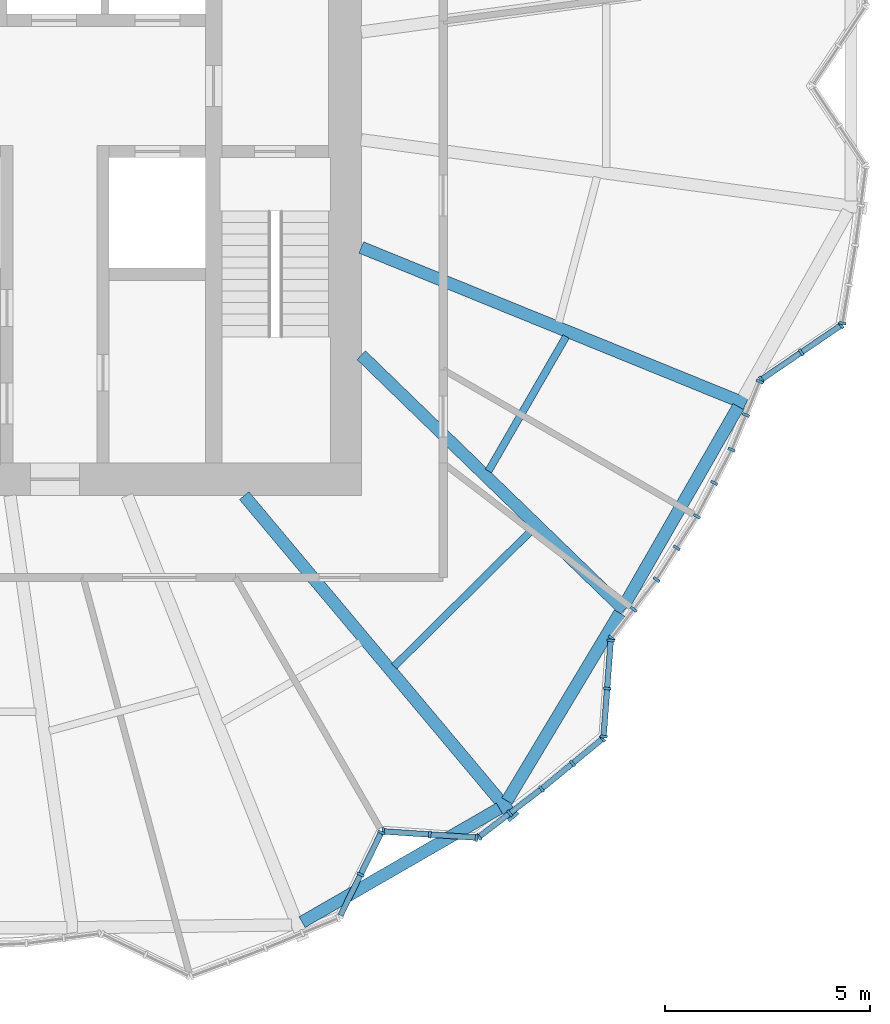
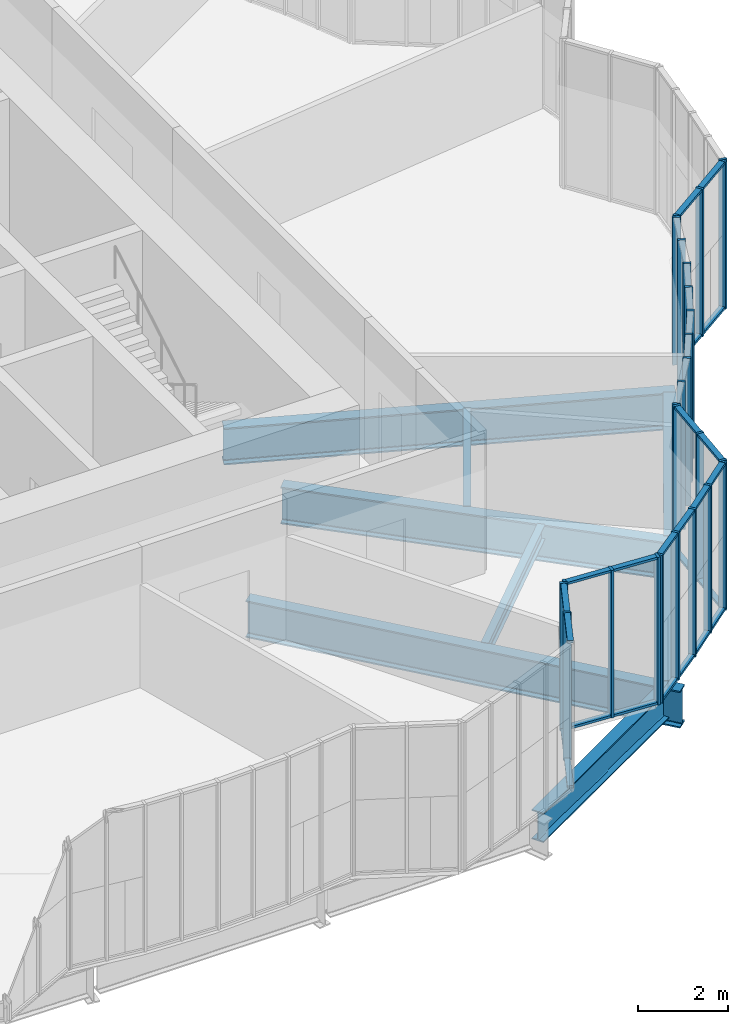
# One storey, part 4 of 22: 50 members, 8 beams, 11 elements without a shape of their own.
"""IFC4 building model written with IfcOpenShell, lengths in metres."""

from ifc_helpers import new_model, si_unit, direction, frame, origin, origin_2d, place, context, subcontext, project, spatial, rectangle, i_section, extrude, material, material_profile, profile_set, type_object, element, aggregate, save


model = new_model("IFC4")

# Units and contexts
model_context = context("Model", 3, precision=1e-05, world=origin(), true_north=direction((0.0, 1.0)))
body_context = subcontext(model_context, "Body", "Model", "MODEL_VIEW")
ifc_project = project(units=[si_unit("LENGTHUNIT", "METRE"), si_unit("AREAUNIT", "SQUARE_METRE"), si_unit("VOLUMEUNIT", "CUBIC_METRE"), si_unit("PLANEANGLEUNIT", "RADIAN"), si_unit("MASSUNIT", "GRAM", prefix="KILO")], contexts=[model_context])

# Site, building, storey
site_placement = place(None, origin())
site = spatial("IfcSite", under=ifc_project, at=site_placement, CompositionType="ELEMENT")
building_placement = place(site_placement, origin())
building = spatial("IfcBuilding", under=site, at=building_placement, Name="Golbaran Civic Tower", CompositionType="ELEMENT")
storey_placement = place(building_placement, frame((0.0, 0.0, 29.0)))
storey = spatial("IfcBuildingStorey", under=building, at=storey_placement, Name="L06", CompositionType="ELEMENT", Elevation=29.0)

# Beams
ifc_material_1 = material(Name="Steel S355", Category="steel")
ifc_material_profile_1 = material_profile(ifc_material_1, i_section(OverallWidth=0.300048828125, OverallDepth=0.800048828125, WebThickness=0.017578125, FlangeThickness=0.032958984375, FilletRadius=0.030029296875, at=origin_2d()), Name="HEB 800")
ifc_profile_set_1 = profile_set([ifc_material_profile_1], Name="Steel S355")
beam_type_1 = type_object("IfcBeamType", Name="EDGE BEAM HEB 800", PredefinedType="BEAM", material=ifc_profile_set_1)
beam_1_placement = place(storey_placement, frame((8.5556640625, -20.40771484375, -0.60009765625), z_axis=(0.866363940205, 0.499413178753, 0.0), x_axis=(-0.499413178753, 0.866363940205, 0.0)))
element("IfcBeam", 1, at=beam_1_placement, inside=storey, type_object=beam_type_1, Name="Edge beam 292.37 L06", PredefinedType="BEAM", context=body_context, shape_type="SweptSolid", body=[
    extrude(i_section(OverallWidth=0.300048828125, OverallDepth=0.800048828125, WebThickness=0.017578125, FlangeThickness=0.032958984375, FilletRadius=0.030029296875, at=origin_2d()), origin(), (0.0, 0.0, 1.0), 5.558837890625),
])
beam_2_placement = place(storey_placement, frame((13.556884765625, -17.447509765625, -0.60009765625), z_axis=(0.514509191059, 0.85748486419, 0.0), x_axis=(-0.85748486419, 0.514509191059, 0.0)))
element("IfcBeam", 2, at=beam_2_placement, inside=storey, type_object=beam_type_1, Name="Edge beam 307.63 L06", PredefinedType="BEAM", context=body_context, shape_type="SweptSolid", body=[
    extrude(i_section(OverallWidth=0.300048828125, OverallDepth=0.800048828125, WebThickness=0.017578125, FlangeThickness=0.032958984375, FilletRadius=0.030029296875, at=origin_2d()), origin(), (0.0, 0.0, 1.0), 5.344482421875),
])
beam_3_placement = place(storey_placement, frame((16.442138671875, -12.634033203125, -0.60009765625), z_axis=(0.497888378449, 0.867241121376, 0.0), x_axis=(-0.867241121376, 0.497888378449, 0.0)))
element("IfcBeam", 3, at=beam_3_placement, inside=storey, type_object=beam_type_1, Name="Edge beam 321.83 L06", PredefinedType="BEAM", context=body_context, shape_type="SweptSolid", body=[
    extrude(i_section(OverallWidth=0.300048828125, OverallDepth=0.800048828125, WebThickness=0.017578125, FlangeThickness=0.032958984375, FilletRadius=0.030029296875, at=origin_2d()), origin(), (0.0, 0.0, 1.0), 5.54248046875),
])
ifc_material_profile_2 = material_profile(ifc_material_1, i_section(OverallWidth=0.179931640625, OverallDepth=0.39990234375, WebThickness=0.008544921875, FlangeThickness=0.013427734375, FilletRadius=0.02099609375, at=origin_2d()), Name="IPE 400")
ifc_profile_set_2 = profile_set([ifc_material_profile_2], Name="Steel S355")
beam_type_2 = type_object("IfcBeamType", Name="FLOOR INFILL BEAM IPE 400", PredefinedType="BEAM", material=ifc_profile_set_2)
beam_4_placement = place(storey_placement, frame((10.805419921875, -14.166015625, -0.39990234375), z_axis=(0.710429956517, 0.703767914077, 0.0), x_axis=(-0.703767914077, 0.710429956517, 0.0)))
element("IfcBeam", 4, at=beam_4_placement, inside=storey, type_object=beam_type_2, Name="Infill beam 314.73 L06", PredefinedType="BEAM", context=body_context, shape_type="SweptSolid", body=[
    extrude(i_section(OverallWidth=0.179931640625, OverallDepth=0.39990234375, WebThickness=0.008544921875, FlangeThickness=0.013427734375, FilletRadius=0.02099609375, at=origin_2d()), origin(), (0.0, 0.0, 1.0), 4.76416015625),
])
beam_5_placement = place(storey_placement, frame((13.1044921875, -9.399169921875, -0.39990234375), z_axis=(0.499964129797, 0.866046112465, 0.0), x_axis=(-0.866046112465, 0.499964129797, 0.0)))
element("IfcBeam", 5, at=beam_5_placement, inside=storey, type_object=beam_type_2, Name="Infill beam 330.00 L06", PredefinedType="BEAM", context=body_context, shape_type="SweptSolid", body=[
    extrude(i_section(OverallWidth=0.179931640625, OverallDepth=0.39990234375, WebThickness=0.008544921875, FlangeThickness=0.013427734375, FilletRadius=0.02099609375, at=origin_2d()), origin(), (0.0, 0.0, 1.0), 3.789306640625),
])

# Curtain wall, members
ifc_material_2 = material(Name="Aluminium and glass", Category="aluminium")
curtain_wall_type = type_object("IfcCurtainWallType", Name="INNER SKIN CURTAIN WALL", PredefinedType="NOTDEFINED", material=ifc_material_2)
curtain_wall_1_placement = place(storey_placement, origin())
curtain_wall_1 = element("IfcCurtainWall", 6, at=curtain_wall_1_placement, inside=storey, type_object=curtain_wall_type, Name="Inner skin L06 facet 60 CW1", ObjectType="INNER SKIN", PredefinedType="USERDEFINED")
ifc_material_3 = material(Name="Aluminium", Category="aluminium")
ifc_material_profile_3 = material_profile(ifc_material_3, rectangle(XDim=0.179931640625, YDim=0.06494140625, at=origin_2d()), Name="INNER SKIN CURTAIN WALL MULLION")
ifc_profile_set_3 = profile_set([ifc_material_profile_3], Name="Aluminium")
member_type_1 = type_object("IfcMemberType", Name="INNER SKIN CURTAIN WALL MULLION", PredefinedType="MULLION", material=ifc_profile_set_3)
member_1_placement = place(storey_placement, frame((9.984130859375, -19.2451171875, 0.0), z_axis=(0.0, 0.0, 1.0), x_axis=(-0.897405438418, 0.441206843893, 0.0)))
member_1 = element("IfcMember", 7, at=member_1_placement, type_object=member_type_1, Name="CW1 mullion 2", PredefinedType="MULLION", context=body_context, shape_type="SweptSolid", body=[
    extrude(rectangle(XDim=0.179931640625, YDim=0.06494140625, at=origin_2d()), origin(), (0.0, 0.0, 1.0), 4.0),
])
member_2_placement = place(storey_placement, frame((10.48828125, -18.219970703125, 0.0), z_axis=(0.0, 0.0, 1.0), x_axis=(-0.897405438418, 0.441206843893, 0.0)))
member_2 = element("IfcMember", 8, at=member_2_placement, type_object=member_type_1, Name="CW1 mullion 3", PredefinedType="MULLION", context=body_context, shape_type="SweptSolid", body=[
    extrude(rectangle(XDim=0.179931640625, YDim=0.06494140625, at=origin_2d()), origin(), (0.0, 0.0, 1.0), 4.0),
])

curtain_wall_2_placement = place(storey_placement, origin())
curtain_wall_2 = element("IfcCurtainWall", 9, at=curtain_wall_2_placement, inside=storey, type_object=curtain_wall_type, Name="Inner skin L06 facet 61 CW1", ObjectType="INNER SKIN", PredefinedType="USERDEFINED")
member_3_placement = place(storey_placement, frame((10.534912109375, -18.193115234375, 0.0), z_axis=(0.0, 0.0, 1.0), x_axis=(0.066606384387, 0.99777932909, 0.0)))
member_3 = element("IfcMember", 10, at=member_3_placement, type_object=member_type_1, Name="CW1 mullion 1", PredefinedType="MULLION", context=body_context, shape_type="SweptSolid", body=[
    extrude(rectangle(XDim=0.179931640625, YDim=0.06494140625, at=origin_2d()), origin(), (0.0, 0.0, 1.0), 4.0),
])
member_4_placement = place(storey_placement, frame((11.6748046875, -18.26904296875, 0.0), z_axis=(0.0, 0.0, 1.0), x_axis=(0.066606384387, 0.99777932909, 0.0)))
member_4 = element("IfcMember", 11, at=member_4_placement, type_object=member_type_1, Name="CW1 mullion 2", PredefinedType="MULLION", context=body_context, shape_type="SweptSolid", body=[
    extrude(rectangle(XDim=0.179931640625, YDim=0.06494140625, at=origin_2d()), origin(), (0.0, 0.0, 1.0), 4.0),
])
member_5_placement = place(storey_placement, frame((12.814453125, -18.34521484375, 0.0), z_axis=(0.0, 0.0, 1.0), x_axis=(0.066606384387, 0.99777932909, 0.0)))
member_5 = element("IfcMember", 12, at=member_5_placement, type_object=member_type_1, Name="CW1 mullion 3", PredefinedType="MULLION", context=body_context, shape_type="SweptSolid", body=[
    extrude(rectangle(XDim=0.179931640625, YDim=0.06494140625, at=origin_2d()), origin(), (0.0, 0.0, 1.0), 4.0),
])

curtain_wall_3_placement = place(storey_placement, origin())
curtain_wall_3 = element("IfcCurtainWall", 13, at=curtain_wall_3_placement, inside=storey, type_object=curtain_wall_type, Name="Inner skin L06 facet 62 CW1", ObjectType="INNER SKIN", PredefinedType="USERDEFINED")
member_6_placement = place(storey_placement, frame((12.872802734375, -18.32763671875, 0.0), z_axis=(0.0, 0.0, 1.0), x_axis=(-0.608761428856, 0.793353340408, 0.0)))
member_6 = element("IfcMember", 14, at=member_6_placement, type_object=member_type_1, Name="CW1 mullion 1", PredefinedType="MULLION", context=body_context, shape_type="SweptSolid", body=[
    extrude(rectangle(XDim=0.179931640625, YDim=0.06494140625, at=origin_2d()), origin(), (0.0, 0.0, 1.0), 4.0),
])
member_7_placement = place(storey_placement, frame((13.6220703125, -17.752685546875, 0.0), z_axis=(0.0, 0.0, 1.0), x_axis=(-0.608761428856, 0.793353340408, 0.0)))
member_7 = element("IfcMember", 15, at=member_7_placement, type_object=member_type_1, Name="CW1 mullion 2", PredefinedType="MULLION", context=body_context, shape_type="SweptSolid", body=[
    extrude(rectangle(XDim=0.179931640625, YDim=0.06494140625, at=origin_2d()), origin(), (0.0, 0.0, 1.0), 4.0),
])
member_8_placement = place(storey_placement, frame((14.397216796875, -17.157958984375, 0.0), z_axis=(0.0, 0.0, 1.0), x_axis=(-0.622263592648, 0.782807780534, 0.0)))
member_8 = element("IfcMember", 16, at=member_8_placement, type_object=member_type_1, Name="CW1 mullion 3", PredefinedType="MULLION", context=body_context, shape_type="SweptSolid", body=[
    extrude(rectangle(XDim=0.179931640625, YDim=0.06494140625, at=origin_2d()), origin(), (0.0, 0.0, 1.0), 4.0),
])

curtain_wall_4_placement = place(storey_placement, origin())
curtain_wall_4 = element("IfcCurtainWall", 17, at=curtain_wall_4_placement, inside=storey, type_object=curtain_wall_type, Name="Inner skin L06 facet 63 CW1", ObjectType="INNER SKIN", PredefinedType="USERDEFINED")
member_9_placement = place(storey_placement, frame((15.154296875, -16.53466796875, 0.0), z_axis=(0.0, 0.0, 1.0), x_axis=(-0.63558311147, 0.772032452954, 0.0)))
member_9 = element("IfcMember", 18, at=member_9_placement, type_object=member_type_1, Name="CW1 mullion 2", PredefinedType="MULLION", context=body_context, shape_type="SweptSolid", body=[
    extrude(rectangle(XDim=0.179931640625, YDim=0.06494140625, at=origin_2d()), origin(), (0.0, 0.0, 1.0), 4.0),
])
member_10_placement = place(storey_placement, frame((15.88623046875, -15.931884765625, 0.0), z_axis=(0.0, 0.0, 1.0), x_axis=(-0.63558311147, 0.772032452954, 0.0)))
member_10 = element("IfcMember", 19, at=member_10_placement, type_object=member_type_1, Name="CW1 mullion 3", PredefinedType="MULLION", context=body_context, shape_type="SweptSolid", body=[
    extrude(rectangle(XDim=0.179931640625, YDim=0.06494140625, at=origin_2d()), origin(), (0.0, 0.0, 1.0), 4.0),
])

curtain_wall_5_placement = place(storey_placement, origin())
curtain_wall_5 = element("IfcCurtainWall", 20, at=curtain_wall_5_placement, inside=storey, type_object=curtain_wall_type, Name="Inner skin L06 facet 64 CW1", ObjectType="INNER SKIN", PredefinedType="USERDEFINED")
member_11_placement = place(storey_placement, frame((15.913818359375, -15.87890625, 0.0), z_axis=(0.0, 0.0, 1.0), x_axis=(-0.997238388272, 0.074267065092, 0.0)))
member_11 = element("IfcMember", 21, at=member_11_placement, type_object=member_type_1, Name="CW1 mullion 1", PredefinedType="MULLION", context=body_context, shape_type="SweptSolid", body=[
    extrude(rectangle(XDim=0.179931640625, YDim=0.06494140625, at=origin_2d()), origin(), (0.0, 0.0, 1.0), 4.0),
])
member_12_placement = place(storey_placement, frame((16.0009765625, -14.70654296875, 0.0), z_axis=(0.0, 0.0, 1.0), x_axis=(-0.997238388272, 0.074267065092, 0.0)))
member_12 = element("IfcMember", 22, at=member_12_placement, type_object=member_type_1, Name="CW1 mullion 2", PredefinedType="MULLION", context=body_context, shape_type="SweptSolid", body=[
    extrude(rectangle(XDim=0.179931640625, YDim=0.06494140625, at=origin_2d()), origin(), (0.0, 0.0, 1.0), 4.0),
])
member_13_placement = place(storey_placement, frame((16.08837890625, -13.5341796875, 0.0), z_axis=(0.0, 0.0, 1.0), x_axis=(-0.997238388272, 0.074267065092, 0.0)))
member_13 = element("IfcMember", 23, at=member_13_placement, type_object=member_type_1, Name="CW1 mullion 3", PredefinedType="MULLION", context=body_context, shape_type="SweptSolid", body=[
    extrude(rectangle(XDim=0.179931640625, YDim=0.06494140625, at=origin_2d()), origin(), (0.0, 0.0, 1.0), 4.0),
])

curtain_wall_6_placement = place(storey_placement, origin())
curtain_wall_6 = element("IfcCurtainWall", 24, at=curtain_wall_6_placement, inside=storey, type_object=curtain_wall_type, Name="Inner skin L06 facet 65 CW1", ObjectType="INNER SKIN", PredefinedType="USERDEFINED")
member_14_placement = place(storey_placement, frame((16.110595703125, -13.47607421875, 0.0), z_axis=(0.0, 0.0, 1.0), x_axis=(-0.793353340259, 0.60876142905, 0.0)))
member_14 = element("IfcMember", 25, at=member_14_placement, type_object=member_type_1, Name="CW1 mullion 1", PredefinedType="MULLION", context=body_context, shape_type="SweptSolid", body=[
    extrude(rectangle(XDim=0.179931640625, YDim=0.06494140625, at=origin_2d()), origin(), (0.0, 0.0, 1.0), 4.0),
])
member_15_placement = place(storey_placement, frame((16.6484375, -12.77490234375, 0.0), z_axis=(0.0, 0.0, 1.0), x_axis=(-0.793353340259, 0.60876142905, 0.0)))
member_15 = element("IfcMember", 26, at=member_15_placement, type_object=member_type_1, Name="CW1 mullion 2", PredefinedType="MULLION", context=body_context, shape_type="SweptSolid", body=[
    extrude(rectangle(XDim=0.179931640625, YDim=0.06494140625, at=origin_2d()), origin(), (0.0, 0.0, 1.0), 4.0),
])
member_16_placement = place(storey_placement, frame((17.206298828125, -12.0478515625, 0.0), z_axis=(0.0, 0.0, 1.0), x_axis=(-0.819152044269, 0.57357643638, 0.0)))
member_16 = element("IfcMember", 27, at=member_16_placement, type_object=member_type_1, Name="CW1 mullion 3", PredefinedType="MULLION", context=body_context, shape_type="SweptSolid", body=[
    extrude(rectangle(XDim=0.179931640625, YDim=0.06494140625, at=origin_2d()), origin(), (0.0, 0.0, 1.0), 4.0),
])
aggregate(curtain_wall_6, [member_14, member_15, member_16])

curtain_wall_7_placement = place(storey_placement, origin())
curtain_wall_7 = element("IfcCurtainWall", 28, at=curtain_wall_7_placement, inside=storey, type_object=curtain_wall_type, Name="Inner skin L06 facet 66 CW1", ObjectType="INNER SKIN", PredefinedType="USERDEFINED")
member_17_placement = place(storey_placement, frame((17.698486328125, -11.275146484375, 0.0), z_axis=(0.0, 0.0, 1.0), x_axis=(-0.843391445935, 0.537299608155, 0.0)))
member_17 = element("IfcMember", 29, at=member_17_placement, type_object=member_type_1, Name="CW1 mullion 2", PredefinedType="MULLION", context=body_context, shape_type="SweptSolid", body=[
    extrude(rectangle(XDim=0.179931640625, YDim=0.06494140625, at=origin_2d()), origin(), (0.0, 0.0, 1.0), 4.0),
])
member_18_placement = place(storey_placement, frame((18.19091796875, -10.50244140625, 0.0), z_axis=(0.0, 0.0, 1.0), x_axis=(-0.866025403784, 0.5, 0.0)))
member_18 = element("IfcMember", 30, at=member_18_placement, type_object=member_type_1, Name="CW1 mullion 3", PredefinedType="MULLION", context=body_context, shape_type="SweptSolid", body=[
    extrude(rectangle(XDim=0.179931640625, YDim=0.06494140625, at=origin_2d()), origin(), (0.0, 0.0, 1.0), 4.0),
])
aggregate(curtain_wall_7, [member_17, member_18])

curtain_wall_8_placement = place(storey_placement, origin())
curtain_wall_8 = element("IfcCurtainWall", 31, at=curtain_wall_8_placement, inside=storey, type_object=curtain_wall_type, Name="Inner skin L06 facet 67 CW1", ObjectType="INNER SKIN", PredefinedType="USERDEFINED")
member_19_placement = place(storey_placement, frame((18.614013671875, -9.689697265625, 0.0), z_axis=(0.0, 0.0, 1.0), x_axis=(-0.887010832985, 0.461748613607, 0.0)))
member_19 = element("IfcMember", 32, at=member_19_placement, type_object=member_type_1, Name="CW1 mullion 2", PredefinedType="MULLION", context=body_context, shape_type="SweptSolid", body=[
    extrude(rectangle(XDim=0.179931640625, YDim=0.06494140625, at=origin_2d()), origin(), (0.0, 0.0, 1.0), 4.0),
])
member_20_placement = place(storey_placement, frame((19.037109375, -8.877197265625, 0.0), z_axis=(0.0, 0.0, 1.0), x_axis=(-0.906307786985, 0.422618261851, 0.0)))
member_20 = element("IfcMember", 33, at=member_20_placement, type_object=member_type_1, Name="CW1 mullion 3", PredefinedType="MULLION", context=body_context, shape_type="SweptSolid", body=[
    extrude(rectangle(XDim=0.179931640625, YDim=0.06494140625, at=origin_2d()), origin(), (0.0, 0.0, 1.0), 4.0),
])
aggregate(curtain_wall_8, [member_19, member_20])

curtain_wall_9_placement = place(storey_placement, origin())
curtain_wall_9 = element("IfcCurtainWall", 34, at=curtain_wall_9_placement, inside=storey, type_object=curtain_wall_type, Name="Inner skin L06 facet 68 CW1", ObjectType="INNER SKIN", PredefinedType="USERDEFINED")
member_21_placement = place(storey_placement, frame((19.3876953125, -8.030517578125, 0.0), z_axis=(0.0, 0.0, 1.0), x_axis=(-0.923879532471, 0.382683432462, 0.0)))
member_21 = element("IfcMember", 35, at=member_21_placement, type_object=member_type_1, Name="CW1 mullion 2", PredefinedType="MULLION", context=body_context, shape_type="SweptSolid", body=[
    extrude(rectangle(XDim=0.179931640625, YDim=0.06494140625, at=origin_2d()), origin(), (0.0, 0.0, 1.0), 4.0),
])
member_22_placement = place(storey_placement, frame((19.725830078125, -7.214111328125, 0.0), z_axis=(0.0, 0.0, 1.0), x_axis=(-0.923879532471, 0.382683432462, 0.0)))
member_22 = element("IfcMember", 36, at=member_22_placement, type_object=member_type_1, Name="CW1 mullion 3", PredefinedType="MULLION", context=body_context, shape_type="SweptSolid", body=[
    extrude(rectangle(XDim=0.179931640625, YDim=0.06494140625, at=origin_2d()), origin(), (0.0, 0.0, 1.0), 4.0),
])
aggregate(curtain_wall_9, [member_21, member_22])

curtain_wall_10_placement = place(storey_placement, origin())
curtain_wall_10 = element("IfcCurtainWall", 37, at=curtain_wall_10_placement, inside=storey, type_object=curtain_wall_type, Name="Inner skin L06 facet 69 CW1", ObjectType="INNER SKIN", PredefinedType="USERDEFINED")
member_23_placement = place(storey_placement, frame((19.76513671875, -7.165771484375, 0.0), z_axis=(0.0, 0.0, 1.0), x_axis=(-0.562936359185, 0.826500245316, 0.0)))
member_23 = element("IfcMember", 38, at=member_23_placement, type_object=member_type_1, Name="CW1 mullion 1", PredefinedType="MULLION", context=body_context, shape_type="SweptSolid", body=[
    extrude(rectangle(XDim=0.179931640625, YDim=0.06494140625, at=origin_2d()), origin(), (0.0, 0.0, 1.0), 4.0),
])
member_24_placement = place(storey_placement, frame((20.73681640625, -6.504150390625, 0.0), z_axis=(0.0, 0.0, 1.0), x_axis=(-0.562936359185, 0.826500245316, 0.0)))
member_24 = element("IfcMember", 39, at=member_24_placement, type_object=member_type_1, Name="CW1 mullion 2", PredefinedType="MULLION", context=body_context, shape_type="SweptSolid", body=[
    extrude(rectangle(XDim=0.179931640625, YDim=0.06494140625, at=origin_2d()), origin(), (0.0, 0.0, 1.0), 4.0),
])
member_25_placement = place(storey_placement, frame((21.70849609375, -5.84228515625, 0.0), z_axis=(0.0, 0.0, 1.0), x_axis=(-0.562936359185, 0.826500245316, 0.0)))
member_25 = element("IfcMember", 40, at=member_25_placement, type_object=member_type_1, Name="CW1 mullion 3", PredefinedType="MULLION", context=body_context, shape_type="SweptSolid", body=[
    extrude(rectangle(XDim=0.179931640625, YDim=0.06494140625, at=origin_2d()), origin(), (0.0, 0.0, 1.0), 4.0),
])

# Curtain wall, member
curtain_wall_11_placement = place(storey_placement, origin())
curtain_wall_11 = element("IfcCurtainWall", 41, at=curtain_wall_11_placement, inside=storey, type_object=curtain_wall_type, Name="Inner skin L06 facet 70 CW1", ObjectType="INNER SKIN", PredefinedType="USERDEFINED")
member_26_placement = place(storey_placement, frame((21.74072265625, -5.7919921875, 0.0), z_axis=(0.0, 0.0, 1.0), x_axis=(-0.986391272574, 0.164414894066, 0.0)))
member_26 = element("IfcMember", 42, at=member_26_placement, type_object=member_type_1, Name="CW1 mullion 1", PredefinedType="MULLION", context=body_context, shape_type="SweptSolid", body=[
    extrude(rectangle(XDim=0.179931640625, YDim=0.06494140625, at=origin_2d()), origin(), (0.0, 0.0, 1.0), 4.0),
])
aggregate(curtain_wall_11, [member_26])

# Member
ifc_material_profile_4 = material_profile(ifc_material_3, rectangle(XDim=0.139892578125, YDim=0.06494140625, at=origin_2d()), Name="INNER SKIN CURTAIN WALL TRANSOM")
ifc_profile_set_4 = profile_set([ifc_material_profile_4], Name="Aluminium")
member_type_2 = type_object("IfcMemberType", Name="INNER SKIN CURTAIN WALL TRANSOM", PredefinedType="USERDEFINED", material=ifc_profile_set_4)
member_27_placement = place(storey_placement, frame((9.494384765625, -20.2412109375, 0.032470703125), z_axis=(0.441220934431, 0.897398510707, 0.0), x_axis=(-0.897398510707, 0.441220934431, 0.0)))
member_27 = element("IfcMember", 43, at=member_27_placement, type_object=member_type_2, Name="CW1 transom 1.1", ObjectType="TRANSOM", PredefinedType="USERDEFINED", context=body_context, shape_type="SweptSolid", body=[
    extrude(rectangle(XDim=0.139892578125, YDim=0.06494140625, at=origin_2d()), origin(), (0.0, 0.0, 1.0), 1.077392578125),
])

member_28_placement = place(storey_placement, frame((9.494384765625, -20.2412109375, 3.967529296875), z_axis=(0.441220934431, 0.897398510707, 0.0), x_axis=(-0.897398510707, 0.441220934431, 0.0)))
member_28 = element("IfcMember", 44, at=member_28_placement, type_object=member_type_2, Name="CW1 transom 1.2", ObjectType="TRANSOM", PredefinedType="USERDEFINED", context=body_context, shape_type="SweptSolid", body=[
    extrude(rectangle(XDim=0.139892578125, YDim=0.06494140625, at=origin_2d()), origin(), (0.0, 0.0, 1.0), 1.077392578125),
])

member_29_placement = place(storey_placement, frame((9.99853515625, -19.216064453125, 0.032470703125), z_axis=(0.441220934431, 0.897398510707, 0.0), x_axis=(-0.897398510707, 0.441220934431, 0.0)))
member_29 = element("IfcMember", 45, at=member_29_placement, type_object=member_type_2, Name="CW1 transom 2.1", ObjectType="TRANSOM", PredefinedType="USERDEFINED", context=body_context, shape_type="SweptSolid", body=[
    extrude(rectangle(XDim=0.139892578125, YDim=0.06494140625, at=origin_2d()), origin(), (0.0, 0.0, 1.0), 1.077392578125),
])

member_30_placement = place(storey_placement, frame((9.99853515625, -19.216064453125, 3.967529296875), z_axis=(0.441220934431, 0.897398510707, 0.0), x_axis=(-0.897398510707, 0.441220934431, 0.0)))
member_30 = element("IfcMember", 46, at=member_30_placement, type_object=member_type_2, Name="CW1 transom 2.2", ObjectType="TRANSOM", PredefinedType="USERDEFINED", context=body_context, shape_type="SweptSolid", body=[
    extrude(rectangle(XDim=0.139892578125, YDim=0.06494140625, at=origin_2d()), origin(), (0.0, 0.0, 1.0), 1.077392578125),
])

aggregate(curtain_wall_1, [member_1, member_2, member_27, member_28, member_29, member_30])

member_31_placement = place(storey_placement, frame((10.5673828125, -18.1953125, 0.032470703125), z_axis=(0.99779317243, -0.066398682608, 0.0), x_axis=(0.066398682608, 0.99779317243, 0.0)))
member_31 = element("IfcMember", 47, at=member_31_placement, type_object=member_type_2, Name="CW1 transom 1.1", ObjectType="TRANSOM", PredefinedType="USERDEFINED", context=body_context, shape_type="SweptSolid", body=[
    extrude(rectangle(XDim=0.139892578125, YDim=0.06494140625, at=origin_2d()), origin(), (0.0, 0.0, 1.0), 1.077392578125),
])

member_32_placement = place(storey_placement, frame((10.5673828125, -18.1953125, 3.967529296875), z_axis=(0.99779317243, -0.066398682608, 0.0), x_axis=(0.066398682608, 0.99779317243, 0.0)))
member_32 = element("IfcMember", 48, at=member_32_placement, type_object=member_type_2, Name="CW1 transom 1.2", ObjectType="TRANSOM", PredefinedType="USERDEFINED", context=body_context, shape_type="SweptSolid", body=[
    extrude(rectangle(XDim=0.139892578125, YDim=0.06494140625, at=origin_2d()), origin(), (0.0, 0.0, 1.0), 1.077392578125),
])

member_33_placement = place(storey_placement, frame((11.707275390625, -18.271240234375, 0.032470703125), z_axis=(0.997778133307, -0.06662429507, 0.0), x_axis=(0.06662429507, 0.997778133307, 0.0)))
member_33 = element("IfcMember", 49, at=member_33_placement, type_object=member_type_2, Name="CW1 transom 2.1", ObjectType="TRANSOM", PredefinedType="USERDEFINED", context=body_context, shape_type="SweptSolid", body=[
    extrude(rectangle(XDim=0.139892578125, YDim=0.06494140625, at=origin_2d()), origin(), (0.0, 0.0, 1.0), 1.077392578125),
])

member_34_placement = place(storey_placement, frame((11.707275390625, -18.271240234375, 3.967529296875), z_axis=(0.997778133307, -0.06662429507, 0.0), x_axis=(0.06662429507, 0.997778133307, 0.0)))
member_34 = element("IfcMember", 50, at=member_34_placement, type_object=member_type_2, Name="CW1 transom 2.2", ObjectType="TRANSOM", PredefinedType="USERDEFINED", context=body_context, shape_type="SweptSolid", body=[
    extrude(rectangle(XDim=0.139892578125, YDim=0.06494140625, at=origin_2d()), origin(), (0.0, 0.0, 1.0), 1.077392578125),
])

aggregate(curtain_wall_2, [member_3, member_4, member_5, member_31, member_32, member_33, member_34])

member_35_placement = place(storey_placement, frame((12.8984375, -18.307861328125, 0.032470703125), z_axis=(0.793356092885, 0.608757841742, 0.0), x_axis=(-0.608757841742, 0.793356092885, 0.0)))
member_35 = element("IfcMember", 51, at=member_35_placement, type_object=member_type_2, Name="CW1 transom 1.1", ObjectType="TRANSOM", PredefinedType="USERDEFINED", context=body_context, shape_type="SweptSolid", body=[
    extrude(rectangle(XDim=0.139892578125, YDim=0.06494140625, at=origin_2d()), origin(), (0.0, 0.0, 1.0), 0.87939453125),
])

member_36_placement = place(storey_placement, frame((12.8984375, -18.307861328125, 3.967529296875), z_axis=(0.793356092885, 0.608757841742, 0.0), x_axis=(-0.608757841742, 0.793356092885, 0.0)))
member_36 = element("IfcMember", 52, at=member_36_placement, type_object=member_type_2, Name="CW1 transom 1.2", ObjectType="TRANSOM", PredefinedType="USERDEFINED", context=body_context, shape_type="SweptSolid", body=[
    extrude(rectangle(XDim=0.139892578125, YDim=0.06494140625, at=origin_2d()), origin(), (0.0, 0.0, 1.0), 0.87939453125),
])

member_37_placement = place(storey_placement, frame((13.64794921875, -17.73291015625, 0.032470703125), z_axis=(0.793300304283, 0.608830540648, 0.0), x_axis=(-0.608830540648, 0.793300304283, 0.0)))
member_37 = element("IfcMember", 53, at=member_37_placement, type_object=member_type_2, Name="CW1 transom 2.1", ObjectType="TRANSOM", PredefinedType="USERDEFINED", context=body_context, shape_type="SweptSolid", body=[
    extrude(rectangle(XDim=0.139892578125, YDim=0.06494140625, at=origin_2d()), origin(), (0.0, 0.0, 1.0), 0.911865234375),
])

member_38_placement = place(storey_placement, frame((13.64794921875, -17.73291015625, 3.967529296875), z_axis=(0.793300304283, 0.608830540648, 0.0), x_axis=(-0.608830540648, 0.793300304283, 0.0)))
member_38 = element("IfcMember", 54, at=member_38_placement, type_object=member_type_2, Name="CW1 transom 2.2", ObjectType="TRANSOM", PredefinedType="USERDEFINED", context=body_context, shape_type="SweptSolid", body=[
    extrude(rectangle(XDim=0.139892578125, YDim=0.06494140625, at=origin_2d()), origin(), (0.0, 0.0, 1.0), 0.911865234375),
])

aggregate(curtain_wall_3, [member_6, member_7, member_8, member_35, member_36, member_37, member_38])

member_39_placement = place(storey_placement, frame((14.42236328125, -17.13720703125, 0.032470703125), z_axis=(0.771945629495, 0.635688559833, 0.0), x_axis=(-0.635688559833, 0.771945629495, 0.0)))
member_39 = element("IfcMember", 55, at=member_39_placement, type_object=member_type_2, Name="CW1 transom 1.1", ObjectType="TRANSOM", PredefinedType="USERDEFINED", context=body_context, shape_type="SweptSolid", body=[
    extrude(rectangle(XDim=0.139892578125, YDim=0.06494140625, at=origin_2d()), origin(), (0.0, 0.0, 1.0), 0.91552734375),
])

member_40_placement = place(storey_placement, frame((14.42236328125, -17.13720703125, 3.967529296875), z_axis=(0.771945629495, 0.635688559833, 0.0), x_axis=(-0.635688559833, 0.771945629495, 0.0)))
member_40 = element("IfcMember", 56, at=member_40_placement, type_object=member_type_2, Name="CW1 transom 1.2", ObjectType="TRANSOM", PredefinedType="USERDEFINED", context=body_context, shape_type="SweptSolid", body=[
    extrude(rectangle(XDim=0.139892578125, YDim=0.06494140625, at=origin_2d()), origin(), (0.0, 0.0, 1.0), 0.91552734375),
])

member_41_placement = place(storey_placement, frame((15.179443359375, -16.513916015625, 0.032470703125), z_axis=(0.771970140389, 0.635658793967, 0.0), x_axis=(-0.635658793967, 0.771970140389, 0.0)))
member_41 = element("IfcMember", 57, at=member_41_placement, type_object=member_type_2, Name="CW1 transom 2.1", ObjectType="TRANSOM", PredefinedType="USERDEFINED", context=body_context, shape_type="SweptSolid", body=[
    extrude(rectangle(XDim=0.139892578125, YDim=0.06494140625, at=origin_2d()), origin(), (0.0, 0.0, 1.0), 0.883056640625),
])

member_42_placement = place(storey_placement, frame((15.179443359375, -16.513916015625, 3.967529296875), z_axis=(0.771970140389, 0.635658793967, 0.0), x_axis=(-0.635658793967, 0.771970140389, 0.0)))
member_42 = element("IfcMember", 58, at=member_42_placement, type_object=member_type_2, Name="CW1 transom 2.2", ObjectType="TRANSOM", PredefinedType="USERDEFINED", context=body_context, shape_type="SweptSolid", body=[
    extrude(rectangle(XDim=0.139892578125, YDim=0.06494140625, at=origin_2d()), origin(), (0.0, 0.0, 1.0), 0.883056640625),
])

aggregate(curtain_wall_4, [member_9, member_10, member_39, member_40, member_41, member_42])

member_43_placement = place(storey_placement, frame((15.916259765625, -15.846435546875, 0.032470703125), z_axis=(0.074090336629, 0.997251533976, 0.0), x_axis=(-0.997251533976, 0.074090336629, 0.0)))
member_43 = element("IfcMember", 59, at=member_43_placement, type_object=member_type_2, Name="CW1 transom 1.1", ObjectType="TRANSOM", PredefinedType="USERDEFINED", context=body_context, shape_type="SweptSolid", body=[
    extrude(rectangle(XDim=0.139892578125, YDim=0.06494140625, at=origin_2d()), origin(), (0.0, 0.0, 1.0), 1.110595703125),
])

member_44_placement = place(storey_placement, frame((15.916259765625, -15.846435546875, 3.967529296875), z_axis=(0.074090336629, 0.997251533976, 0.0), x_axis=(-0.997251533976, 0.074090336629, 0.0)))
member_44 = element("IfcMember", 60, at=member_44_placement, type_object=member_type_2, Name="CW1 transom 1.2", ObjectType="TRANSOM", PredefinedType="USERDEFINED", context=body_context, shape_type="SweptSolid", body=[
    extrude(rectangle(XDim=0.139892578125, YDim=0.06494140625, at=origin_2d()), origin(), (0.0, 0.0, 1.0), 1.110595703125),
])

member_45_placement = place(storey_placement, frame((16.00341796875, -14.674072265625, 0.032470703125), z_axis=(0.074308977059, 0.997235266087, 0.0), x_axis=(-0.997235266087, 0.074308977059, 0.0)))
member_45 = element("IfcMember", 61, at=member_45_placement, type_object=member_type_2, Name="CW1 transom 2.1", ObjectType="TRANSOM", PredefinedType="USERDEFINED", context=body_context, shape_type="SweptSolid", body=[
    extrude(rectangle(XDim=0.139892578125, YDim=0.06494140625, at=origin_2d()), origin(), (0.0, 0.0, 1.0), 1.110595703125),
])

member_46_placement = place(storey_placement, frame((16.00341796875, -14.674072265625, 3.967529296875), z_axis=(0.074308977059, 0.997235266087, 0.0), x_axis=(-0.997235266087, 0.074308977059, 0.0)))
member_46 = element("IfcMember", 62, at=member_46_placement, type_object=member_type_2, Name="CW1 transom 2.2", ObjectType="TRANSOM", PredefinedType="USERDEFINED", context=body_context, shape_type="SweptSolid", body=[
    extrude(rectangle(XDim=0.139892578125, YDim=0.06494140625, at=origin_2d()), origin(), (0.0, 0.0, 1.0), 1.110595703125),
])

aggregate(curtain_wall_5, [member_11, member_12, member_13, member_43, member_44, member_45, member_46])

member_47_placement = place(storey_placement, frame((19.7919921875, -7.1474609375, 0.032470703125), z_axis=(0.826496976354, 0.562941158628, 0.0), x_axis=(-0.562941158628, 0.826496976354, 0.0)))
member_47 = element("IfcMember", 63, at=member_47_placement, type_object=member_type_2, Name="CW1 transom 1.1", ObjectType="TRANSOM", PredefinedType="USERDEFINED", context=body_context, shape_type="SweptSolid", body=[
    extrude(rectangle(XDim=0.139892578125, YDim=0.06494140625, at=origin_2d()), origin(), (0.0, 0.0, 1.0), 1.110595703125),
])

member_48_placement = place(storey_placement, frame((19.7919921875, -7.1474609375, 3.967529296875), z_axis=(0.826496976354, 0.562941158628, 0.0), x_axis=(-0.562941158628, 0.826496976354, 0.0)))
member_48 = element("IfcMember", 64, at=member_48_placement, type_object=member_type_2, Name="CW1 transom 1.2", ObjectType="TRANSOM", PredefinedType="USERDEFINED", context=body_context, shape_type="SweptSolid", body=[
    extrude(rectangle(XDim=0.139892578125, YDim=0.06494140625, at=origin_2d()), origin(), (0.0, 0.0, 1.0), 1.110595703125),
])

member_49_placement = place(storey_placement, frame((20.763671875, -6.48583984375, 0.032470703125), z_axis=(0.826496976354, 0.562941158628, 0.0), x_axis=(-0.562941158628, 0.826496976354, 0.0)))
member_49 = element("IfcMember", 65, at=member_49_placement, type_object=member_type_2, Name="CW1 transom 2.1", ObjectType="TRANSOM", PredefinedType="USERDEFINED", context=body_context, shape_type="SweptSolid", body=[
    extrude(rectangle(XDim=0.139892578125, YDim=0.06494140625, at=origin_2d()), origin(), (0.0, 0.0, 1.0), 1.110595703125),
])

member_50_placement = place(storey_placement, frame((20.763671875, -6.48583984375, 3.967529296875), z_axis=(0.826496976354, 0.562941158628, 0.0), x_axis=(-0.562941158628, 0.826496976354, 0.0)))
member_50 = element("IfcMember", 66, at=member_50_placement, type_object=member_type_2, Name="CW1 transom 2.2", ObjectType="TRANSOM", PredefinedType="USERDEFINED", context=body_context, shape_type="SweptSolid", body=[
    extrude(rectangle(XDim=0.139892578125, YDim=0.06494140625, at=origin_2d()), origin(), (0.0, 0.0, 1.0), 1.110595703125),
])

aggregate(curtain_wall_10, [member_23, member_24, member_25, member_47, member_48, member_49, member_50])

# Beams
ifc_material_profile_5 = material_profile(ifc_material_1, i_section(OverallWidth=0.300048828125, OverallDepth=1.0, WebThickness=0.01904296875, FlangeThickness=0.035888671875, FilletRadius=0.030029296875, at=origin_2d()), Name="HEB 1000")
ifc_profile_set_5 = profile_set([ifc_material_profile_5], Name="Steel S355")
beam_type_3 = type_object("IfcBeamType", Name="RADIAL FLOOR BEAM HEB 1000", PredefinedType="BEAM", material=ifc_profile_set_5)
beam_6_placement = place(storey_placement, frame((7.142822265625, -10.0, -0.7099609375), z_axis=(0.642484295508, -0.766298851641, 0.0), x_axis=(0.766298851641, 0.642484295508, 0.0)))
element("IfcBeam", 67, at=beam_6_placement, inside=storey, type_object=beam_type_3, Name="Radial beam 307.63 L06", PredefinedType="BEAM", context=body_context, shape_type="SweptSolid", body=[
    extrude(i_section(OverallWidth=0.300048828125, OverallDepth=1.0, WebThickness=0.01904296875, FlangeThickness=0.035888671875, FilletRadius=0.030029296875, at=origin_2d()), origin(), (0.0, 0.0, 1.0), 10.261474609375),
])
beam_7_placement = place(storey_placement, frame((10.0, -6.571533203125, -0.7099609375), z_axis=(0.718092658056, -0.695947508399, 0.0), x_axis=(0.695947508399, 0.718092658056, 0.0)))
element("IfcBeam", 68, at=beam_7_placement, inside=storey, type_object=beam_type_3, Name="Radial beam 321.83 L06", PredefinedType="BEAM", context=body_context, shape_type="SweptSolid", body=[
    extrude(i_section(OverallWidth=0.300048828125, OverallDepth=1.0, WebThickness=0.01904296875, FlangeThickness=0.035888671875, FilletRadius=0.030029296875, at=origin_2d()), origin(), (0.0, 0.0, 1.0), 8.94091796875),
])
beam_8_placement = place(storey_placement, frame((10.0, -3.94287109375, -0.7099609375), z_axis=(0.926253197378, -0.376901863019, 0.0), x_axis=(0.376901863019, 0.926253197378, 0.0)))
element("IfcBeam", 69, at=beam_8_placement, inside=storey, type_object=beam_type_3, Name="Radial beam 338.17 L06", PredefinedType="BEAM", context=body_context, shape_type="SweptSolid", body=[
    extrude(i_section(OverallWidth=0.300048828125, OverallDepth=1.0, WebThickness=0.01904296875, FlangeThickness=0.035888671875, FilletRadius=0.030029296875, at=origin_2d()), origin(), (0.0, 0.0, 1.0), 10.130859375),
])

save(model, "model.ifc")
